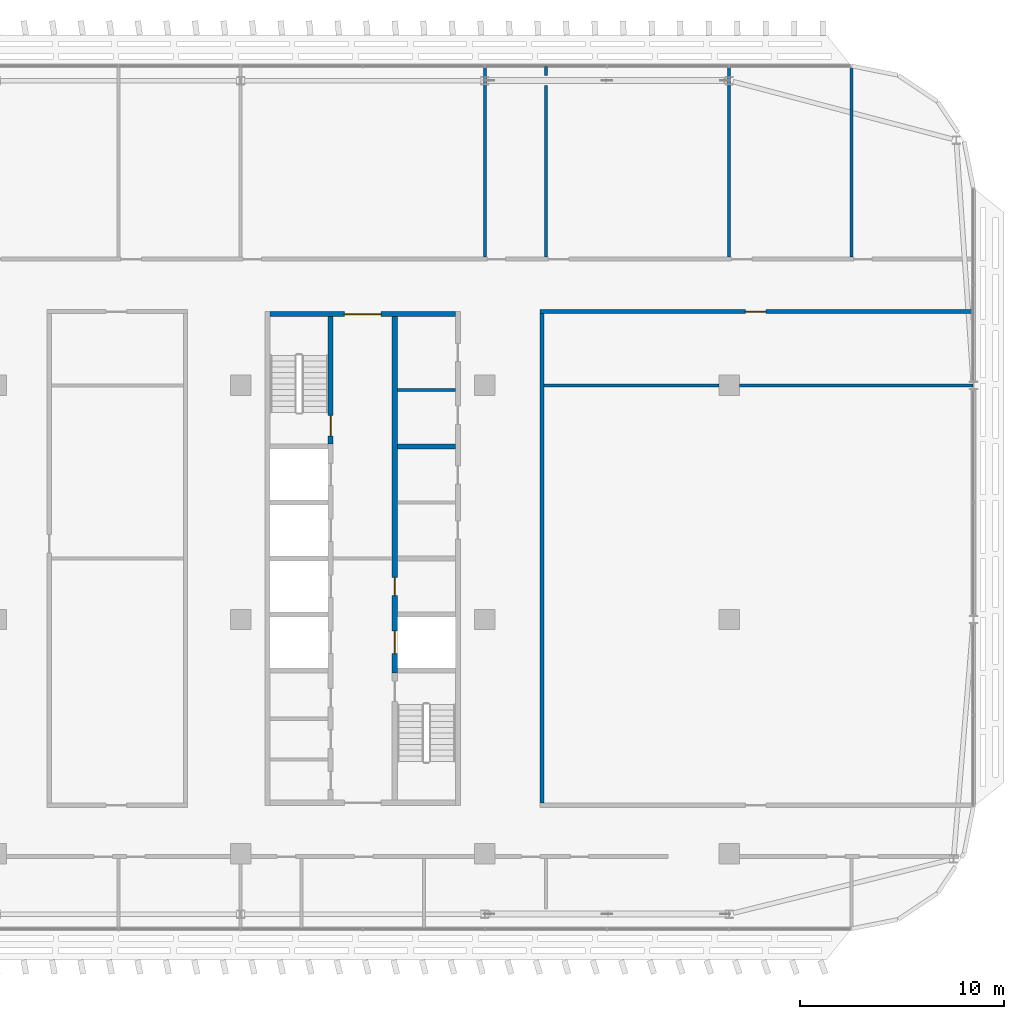
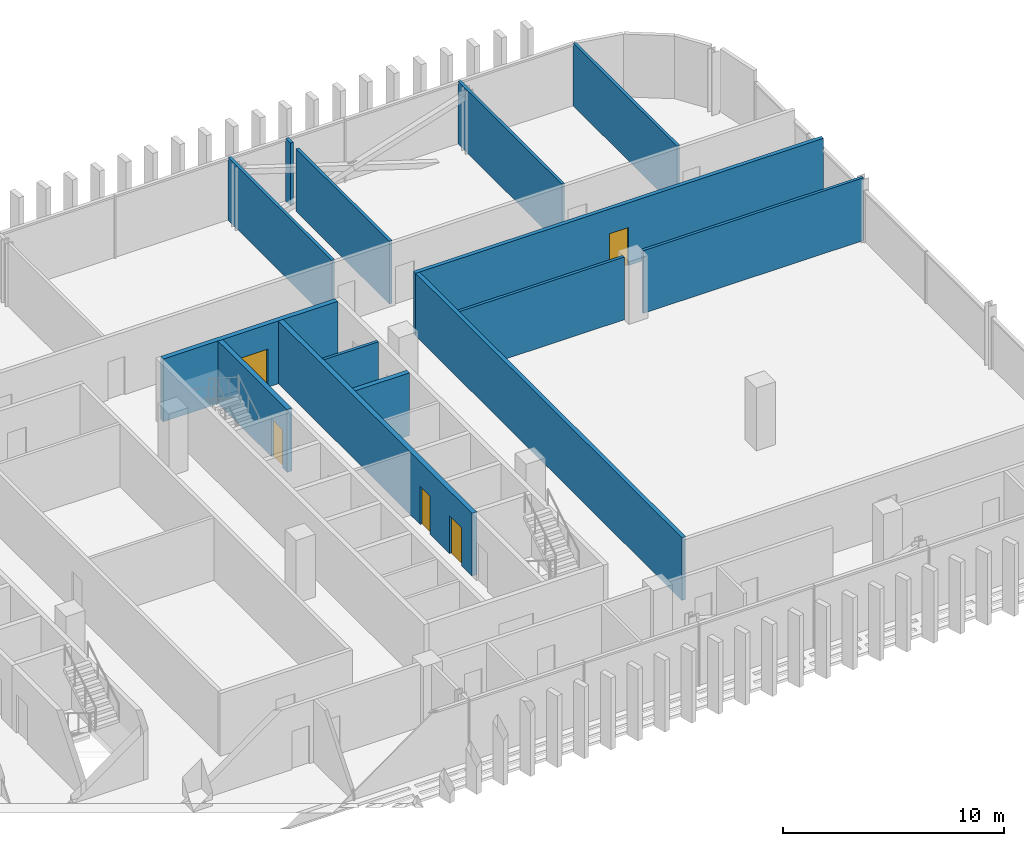
# One storey, part 22 of 34: 14 walls, 5 doors, 5 openings.
"""IFC4 building model written with IfcOpenShell, lengths in metres."""

from ifc_helpers import new_model, si_unit, direction, frame, frame_2d, origin, place, context, subcontext, project, spatial, rectangle, extrude, material, layer, layer_set, type_object, element, fill, save


model = new_model("IFC4")

# Units and contexts
model_context = context("Model", 3, precision=1e-05, world=origin(), true_north=direction((0.0, 1.0)))
body_context = subcontext(model_context, "Body", "Model", "MODEL_VIEW")
ifc_project = project(units=[si_unit("LENGTHUNIT", "METRE"), si_unit("AREAUNIT", "SQUARE_METRE"), si_unit("VOLUMEUNIT", "CUBIC_METRE"), si_unit("PLANEANGLEUNIT", "RADIAN"), si_unit("MASSUNIT", "GRAM", prefix="KILO")], contexts=[model_context])

# Site, building, storey
site_placement = place(None, origin())
site = spatial("IfcSite", under=ifc_project, at=site_placement, CompositionType="ELEMENT")
building_placement = place(site_placement, origin())
building = spatial("IfcBuilding", under=site, at=building_placement, Name="Mahtab Terrace Research Tower", CompositionType="ELEMENT")
storey_placement = place(building_placement, frame((0.0, 0.0, 247.60009765625)))
storey = spatial("IfcBuildingStorey", under=building, at=storey_placement, Name="L60", CompositionType="ELEMENT", Elevation=247.60009765625)

# Wall
ifc_material_1 = material(Name="Gypsum board partition")
ifc_layer_1 = layer(ifc_material_1, 0.14990234375)
ifc_layer_set_1 = layer_set([ifc_layer_1], Name="Core partition 150")
wall_type_1 = type_object("IfcWallType", Name="Core partition 150", PredefinedType="PARTITIONING", material=ifc_layer_set_1)
wall_1_placement = place(storey_placement, frame((25.699951171875, 11.27490234375, 0.0), z_axis=(0.0, 0.0, 1.0), x_axis=(1.0, 0.0, 0.0)))
element("IfcWall", 1, at=wall_1_placement, inside=storey, type_object=wall_type_1, Name="Core wall C pEN828", PredefinedType="PARTITIONING", context=body_context, shape_type="SweptSolid", body=[
    extrude(rectangle(XDim=2.85009765625, YDim=0.14990234375, at=frame_2d((1.425048828125, 0.0))), origin(), (0.0, 0.0, 1.0), 3.4599609375),
])

# Wall, opening, door
ifc_material_2 = material(Name="Concrete C70/85", Category="concrete")
ifc_layer_2 = layer(ifc_material_2, 0.25)
ifc_layer_set_2 = layer_set([ifc_layer_2], Name="Core wall 250")
wall_type_2 = type_object("IfcWallType", Name="Core wall 250", PredefinedType="SOLIDWALL", material=ifc_layer_set_2)
wall_2_placement = place(storey_placement, frame((19.449951171875, 15.0, 0.0), z_axis=(0.0, 0.0, 1.0), x_axis=(1.0, 0.0, 0.0)))
wall_2 = element("IfcWall", 2, at=wall_2_placement, inside=storey, type_object=wall_type_2, Name="Core wall C endN", PredefinedType="SOLIDWALL", context=body_context, shape_type="SweptSolid", body=[
    extrude(rectangle(XDim=9.10009765625, YDim=0.25, at=frame_2d((4.550048828125, 0.0))), origin(), (0.0, 0.0, 1.0), 3.4599609375),
])
opening_1_placement = place(wall_2_placement, frame((3.64990234375, 0.0, 0.0)))
opening_1 = element("IfcOpeningElement", 3, at=opening_1_placement, cuts=wall_2, Name="Opening C-N1", PredefinedType="OPENING", context=body_context, shape_type="SweptSolid", body=[
    extrude(rectangle(XDim=1.800048828125, YDim=2.10009765625, at=frame_2d((0.89990234375, 1.050048828125))), frame((0.0, 0.135009765625, 0.0), z_axis=(0.0, -1.0, 0.0), x_axis=(1.0, 0.0, 0.0)), (0.0, 0.0, 1.0), 0.27001953125),
])
ifc_material_3 = material(Name="Steel fire door", Category="steel")
door_type_1 = type_object("IfcDoorType", Name="Lobby double door 1800x2100 1 HR", OperationType="DOUBLE_DOOR_SINGLE_SWING", PredefinedType="DOOR", material=ifc_material_3)
door_1_placement = place(opening_1_placement, origin())
door_1 = element("IfcDoor", 4, at=door_1_placement, inside=storey, type_object=door_type_1, Name="Core entrance door C N", OperationType="DOUBLE_DOOR_SINGLE_SWING", OverallHeight=2.10009765625, OverallWidth=1.800048828125, PredefinedType="DOOR", context=body_context, shape_type="SweptSolid", body=[
    extrude(rectangle(XDim=1.800048828125, YDim=2.10009765625, at=frame_2d((0.89990234375, 1.050048828125))), frame((0.0, 0.02490234375, 0.0), z_axis=(0.0, -1.0, 0.0), x_axis=(1.0, 0.0, 0.0)), (0.0, 0.0, 1.0), 0.050048828125),
])
fill(opening_1, door_1)

wall_3_placement = place(storey_placement, frame((22.425048828125, 14.875, 0.0), z_axis=(0.0, 0.0, 1.0), x_axis=(0.0, -1.0, 0.0)))
wall_3 = element("IfcWall", 5, at=wall_3_placement, inside=storey, type_object=wall_type_2, Name="Core wall C innerWN", PredefinedType="SOLIDWALL", context=body_context, shape_type="SweptSolid", body=[
    extrude(rectangle(XDim=6.25, YDim=0.25, at=frame_2d((3.125, 0.0))), origin(), (0.0, 0.0, 1.0), 3.4599609375),
])
opening_2_placement = place(wall_3_placement, frame((4.85009765625, 0.0, 0.0)))
opening_2 = element("IfcOpeningElement", 6, at=opening_2_placement, cuts=wall_3, Name="Opening C-ST3", PredefinedType="OPENING", context=body_context, shape_type="SweptSolid", body=[
    extrude(rectangle(XDim=1.0, YDim=2.10009765625, at=frame_2d((0.5, 1.050048828125))), frame((0.0, 0.135009765625, 0.0), z_axis=(0.0, -1.0, 0.0), x_axis=(1.0, 0.0, 0.0)), (0.0, 0.0, 1.0), 0.27001953125),
])
door_type_2 = type_object("IfcDoorType", Name="Stair door 1000x2100 1.5 HR", OperationType="NOTDEFINED", PredefinedType="DOOR", material=ifc_material_3)
door_2_placement = place(opening_2_placement, origin())
door_2 = element("IfcDoor", 7, at=door_2_placement, inside=storey, type_object=door_type_2, Name="Stair door ST3 L60", OperationType="SINGLE_SWING_LEFT", OverallHeight=2.10009765625, OverallWidth=1.0, PredefinedType="DOOR", context=body_context, shape_type="SweptSolid", body=[
    extrude(rectangle(XDim=1.0, YDim=2.10009765625, at=frame_2d((0.5, 1.050048828125))), frame((0.0, 0.02490234375, 0.0), z_axis=(0.0, -1.0, 0.0), x_axis=(1.0, 0.0, 0.0)), (0.0, 0.0, 1.0), 0.050048828125),
])
fill(opening_2, door_2)

# Wall, openings, doors
wall_4_placement = place(storey_placement, frame((25.574951171875, 14.875, 0.0), z_axis=(0.0, 0.0, 1.0), x_axis=(0.0, -1.0, 0.0)))
wall_4 = element("IfcWall", 8, at=wall_4_placement, inside=storey, type_object=wall_type_2, Name="Core wall C innerELN", PredefinedType="SOLIDWALL", context=body_context, shape_type="SweptSolid", body=[
    extrude(rectangle(XDim=17.5, YDim=0.25, at=frame_2d((8.75, 0.0))), origin(), (0.0, 0.0, 1.0), 3.4599609375),
])
opening_3_placement = place(wall_4_placement, frame((15.449951171875, 0.0, 0.0)))
opening_3 = element("IfcOpeningElement", 9, at=opening_3_placement, cuts=wall_4, Name="Opening LD21-L60", PredefinedType="OPENING", context=body_context, shape_type="SweptSolid", body=[
    extrude(rectangle(XDim=1.10009765625, YDim=2.10009765625, at=frame_2d((0.550048828125, 1.050048828125))), frame((0.0, 0.135009765625, 0.0), z_axis=(0.0, -1.0, 0.0), x_axis=(1.0, 0.0, 0.0)), (0.0, 0.0, 1.0), 0.27001953125),
])
opening_4_placement = place(wall_4_placement, frame((12.800048828125, 0.0, 0.0)))
opening_4 = element("IfcOpeningElement", 10, at=opening_4_placement, cuts=wall_4, Name="Opening C-R1", PredefinedType="OPENING", context=body_context, shape_type="SweptSolid", body=[
    extrude(rectangle(XDim=0.89990234375, YDim=2.10009765625, at=frame_2d((0.449951171875, 1.050048828125))), frame((0.0, 0.135009765625, 0.0), z_axis=(0.0, -1.0, 0.0), x_axis=(1.0, 0.0, 0.0)), (0.0, 0.0, 1.0), 0.27001953125),
])
ifc_material_4 = material(Name="Stainless steel AISI 304", Category="steel")
door_type_3 = type_object("IfcDoorType", Name="Landing door 1100x2100", OperationType="DOUBLE_DOOR_SLIDING", PredefinedType="DOOR", material=ifc_material_4)
door_3_placement = place(opening_3_placement, origin())
door_3 = element("IfcDoor", 11, at=door_3_placement, inside=storey, type_object=door_type_3, Name="Landing door SV3 L60", OperationType="DOUBLE_DOOR_SLIDING", OverallHeight=2.10009765625, OverallWidth=1.10009765625, PredefinedType="DOOR", context=body_context, shape_type="SweptSolid", body=[
    extrude(rectangle(XDim=1.10009765625, YDim=2.10009765625, at=frame_2d((0.550048828125, 1.050048828125))), frame((0.0, 0.02490234375, 0.0), z_axis=(0.0, -1.0, 0.0), x_axis=(1.0, 0.0, 0.0)), (0.0, 0.0, 1.0), 0.050048828125),
])
fill(opening_3, door_3)
door_type_4 = type_object("IfcDoorType", Name="Room door 900x2100 1 HR", OperationType="NOTDEFINED", PredefinedType="DOOR", material=ifc_material_3)
door_4_placement = place(opening_4_placement, origin())
door_4 = element("IfcDoor", 12, at=door_4_placement, inside=storey, type_object=door_type_4, Name="Plant room door", OperationType="SINGLE_SWING_LEFT", OverallHeight=2.10009765625, OverallWidth=0.89990234375, PredefinedType="DOOR", context=body_context, shape_type="SweptSolid", body=[
    extrude(rectangle(XDim=0.89990234375, YDim=2.10009765625, at=frame_2d((0.449951171875, 1.050048828125))), frame((0.0, 0.02490234375, 0.0), z_axis=(0.0, -1.0, 0.0), x_axis=(1.0, 0.0, 0.0)), (0.0, 0.0, 1.0), 0.050048828125),
])
fill(opening_4, door_4)

# Wall
wall_5_placement = place(storey_placement, frame((25.699951171875, 8.5, 0.0), z_axis=(0.0, 0.0, 1.0), x_axis=(1.0, 0.0, 0.0)))
element("IfcWall", 13, at=wall_5_placement, inside=storey, type_object=wall_type_2, Name="Core wall C divE4", PredefinedType="SOLIDWALL", context=body_context, shape_type="SweptSolid", body=[
    extrude(rectangle(XDim=2.85009765625, YDim=0.25, at=frame_2d((1.425048828125, 0.0))), origin(), (0.0, 0.0, 1.0), 3.4599609375),
])

# Wall, opening, door
ifc_material_5 = material(Name="Gypsum board corridor wall on steel studs", Category="steel")
ifc_layer_3 = layer(ifc_material_5, 0.199951171875)
ifc_layer_set_3 = layer_set([ifc_layer_3], Name="WALL CORRIDOR 200")
wall_type_3 = type_object("IfcWallType", Name="WALL CORRIDOR 200", PredefinedType="PARTITIONING", material=ifc_layer_set_3)
wall_6_placement = place(storey_placement, frame((32.699951171875, 15.125, 0.0), z_axis=(0.0, 0.0, 1.0), x_axis=(1.0, 0.0, 0.0)))
wall_6 = element("IfcWall", 14, at=wall_6_placement, inside=storey, type_object=wall_type_3, Name="L60-W024", PredefinedType="PARTITIONING", context=body_context, shape_type="SweptSolid", body=[
    extrude(rectangle(XDim=21.275146484375, YDim=0.199951171875, at=frame_2d((10.6376953125, 0.0))), origin(), (0.0, 0.0, 1.0), 3.4599609375),
])
opening_5_placement = place(wall_6_placement, frame((10.10009765625, 0.0, 0.0)))
opening_5 = element("IfcOpeningElement", 15, at=opening_5_placement, cuts=wall_6, Name="Opening L60-126", PredefinedType="OPENING", context=body_context, shape_type="SweptSolid", body=[
    extrude(rectangle(XDim=1.0, YDim=2.10009765625, at=frame_2d((0.5, 1.050048828125))), frame((0.0, 0.10986328125, 0.0), z_axis=(0.0, -1.0, 0.0), x_axis=(1.0, 0.0, 0.0)), (0.0, 0.0, 1.0), 0.219970703125),
])
ifc_material_6 = material(Name="Timber door leaf in steel frame", Category="steel")
door_type_5 = type_object("IfcDoorType", Name="DOOR 1000X2100 FD30S", OperationType="SINGLE_SWING_LEFT", PredefinedType="DOOR", material=ifc_material_6)
door_5_placement = place(opening_5_placement, origin())
door_5 = element("IfcDoor", 16, at=door_5_placement, inside=storey, type_object=door_type_5, Name="Door L60-126", OperationType="SINGLE_SWING_LEFT", OverallHeight=2.10009765625, OverallWidth=1.0, PredefinedType="DOOR", context=body_context, shape_type="SweptSolid", body=[
    extrude(rectangle(XDim=1.0, YDim=2.10009765625, at=frame_2d((0.5, 1.050048828125))), frame((0.0, 0.02490234375, 0.0), z_axis=(0.0, -1.0, 0.0), x_axis=(1.0, 0.0, 0.0)), (0.0, 0.0, 1.0), 0.050048828125),
])
fill(opening_5, door_5)

# Walls
wall_7_placement = place(storey_placement, frame((32.800048828125, -9.02490234375, 0.0), z_axis=(0.0, 0.0, 1.0), x_axis=(0.0, 1.0, 0.0)))
element("IfcWall", 17, at=wall_7_placement, inside=storey, type_object=wall_type_3, Name="L60-W054", PredefinedType="PARTITIONING", context=body_context, shape_type="SweptSolid", body=[
    extrude(rectangle(XDim=24.0498046875, YDim=0.199951171875, at=frame_2d((12.02490234375, 0.0))), origin(), (0.0, 0.0, 1.0), 3.4599609375),
])
ifc_material_7 = material(Name="Gypsum board partition on steel studs", Category="steel")
ifc_layer_4 = layer(ifc_material_7, 0.14990234375)
ifc_layer_set_4 = layer_set([ifc_layer_4], Name="WALL PARTITION 150")
wall_type_4 = type_object("IfcWallType", Name="WALL PARTITION 150", PredefinedType="PARTITIONING", material=ifc_layer_set_4)
wall_8_placement = place(storey_placement, frame((32.89990234375, 11.5, 0.0), z_axis=(0.0, 0.0, 1.0), x_axis=(1.0, 0.0, 0.0)))
element("IfcWall", 18, at=wall_8_placement, inside=storey, type_object=wall_type_4, Name="L60-W019", PredefinedType="PARTITIONING", context=body_context, shape_type="SweptSolid", body=[
    extrude(rectangle(XDim=8.60009765625, YDim=0.14990234375, at=frame_2d((4.300048828125, 0.0))), origin(), (0.0, 0.0, 1.0), 3.4599609375),
])
wall_9_placement = place(storey_placement, frame((42.5, 11.5, 0.0), z_axis=(0.0, 0.0, 1.0), x_axis=(1.0, 0.0, 0.0)))
element("IfcWall", 19, at=wall_9_placement, inside=storey, type_object=wall_type_4, Name="L60-W020", PredefinedType="PARTITIONING", context=body_context, shape_type="SweptSolid", body=[
    extrude(rectangle(XDim=11.47509765625, YDim=0.14990234375, at=frame_2d((5.737548828125, 0.0))), origin(), (0.0, 0.0, 1.0), 3.4599609375),
])
wall_10_placement = place(storey_placement, frame((30.0, 17.800048828125, 0.0), z_axis=(0.0, 0.0, 1.0), x_axis=(0.0, 1.0, 0.0)))
element("IfcWall", 20, at=wall_10_placement, inside=storey, type_object=wall_type_4, Name="L60-W053", PredefinedType="PARTITIONING", context=body_context, shape_type="SweptSolid", body=[
    extrude(rectangle(XDim=9.369873046875, YDim=0.14990234375, at=frame_2d((4.68505859375, 0.0))), origin(), (0.0, 0.0, 1.0), 3.4599609375),
])
wall_11_placement = place(storey_placement, frame((33.0, 17.800048828125, 0.0), z_axis=(0.0, 0.0, 1.0), x_axis=(0.0, 1.0, 0.0)))
element("IfcWall", 21, at=wall_11_placement, inside=storey, type_object=wall_type_4, Name="L60-W056", PredefinedType="PARTITIONING", context=body_context, shape_type="SweptSolid", body=[
    extrude(rectangle(XDim=8.420654296875, YDim=0.14990234375, at=frame_2d((4.21044921875, 0.0))), origin(), (0.0, 0.0, 1.0), 3.4599609375),
])
wall_12_placement = place(storey_placement, frame((33.0, 26.725341796875, 0.0), z_axis=(0.0, 0.0, 1.0), x_axis=(0.0, 1.0, 0.0)))
element("IfcWall", 22, at=wall_12_placement, inside=storey, type_object=wall_type_4, Name="L60-W057", PredefinedType="PARTITIONING", context=body_context, shape_type="SweptSolid", body=[
    extrude(rectangle(XDim=0.444580078125, YDim=0.14990234375, at=frame_2d((0.22216796875, 0.0))), origin(), (0.0, 0.0, 1.0), 3.4599609375),
])
for number, where, z_axis, x_axis, name in (
    (23, (42.0, 17.800048828125, 0.0), (0.0, 0.0, 1.0), (0.0, 1.0, 0.0), "L60-W058"),
    (24, (48.0, 17.800048828125, 0.0), (0.0, 0.0, 1.0), (0.0, 1.0, 0.0), "L60-W060"),
):
    element("IfcWall", number, at=place(storey_placement, frame(where, z_axis=z_axis, x_axis=x_axis)), inside=storey, type_object=wall_type_4, Name=name, PredefinedType="PARTITIONING", context=body_context, shape_type="SweptSolid", body=[
        extrude(rectangle(XDim=9.369873046875, YDim=0.14990234375, at=frame_2d((4.68505859375, 0.0))), origin(), (0.0, 0.0, 1.0), 3.4599609375),
    ])

save(model, "model.ifc")
